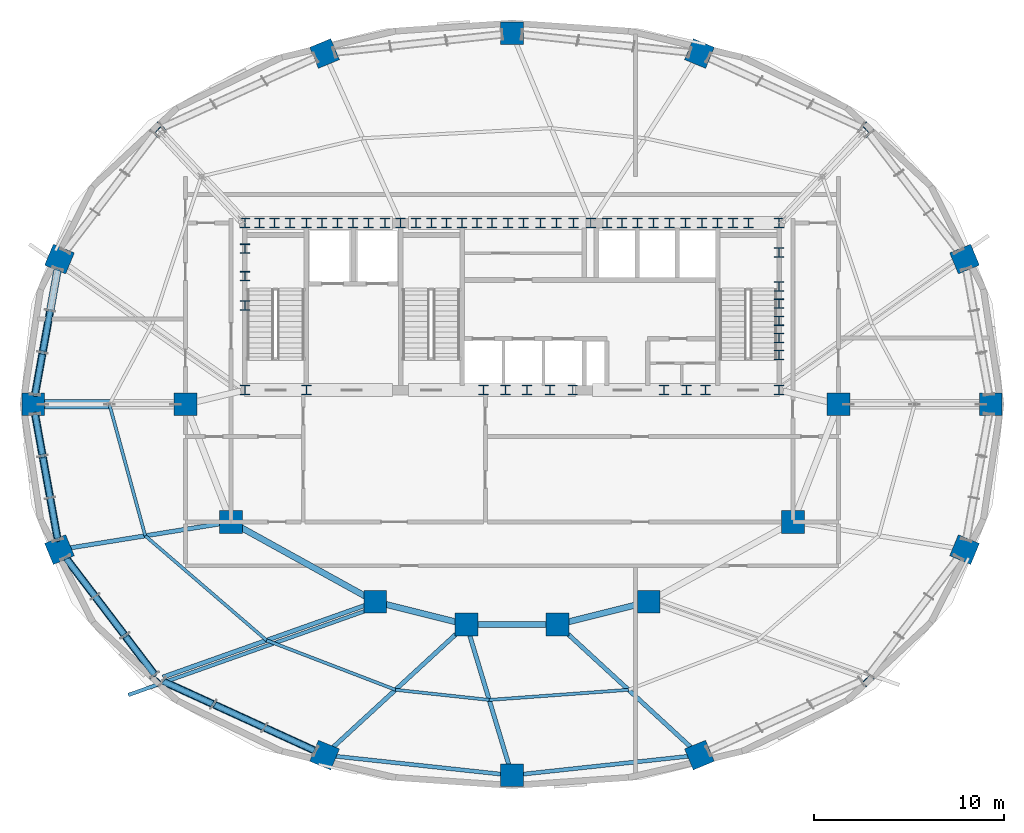
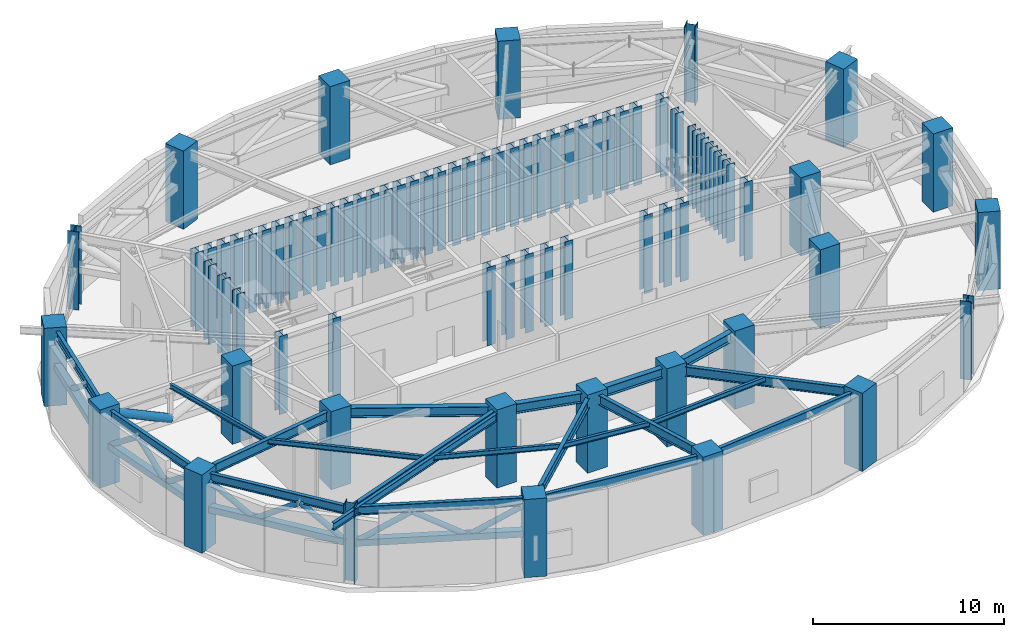
# One storey, part 1 of 17: 78 columns, 21 beams, 16 members.
"""IFC4 building model written with IfcOpenShell, lengths in metres."""

import ifcopenshell
import ifcopenshell.guid

model = None  # the IFC model being written
_history = None  # IfcOwnerHistory: only IFC2X3 demands one
_inside = {}  # id of a spatial element -> (the spatial element, [elements in it])
_under = {}  # id of a project, library or spatial element -> (it, [spatial elements below it])
_declared = {}  # id of a project -> (the project, [libraries it declares])
_typed = {}  # id of a type object -> (the type object, [elements of that type])
_made_of = {}  # id of a material, layer set ... -> (it, [elements and type objects made of it])


def new_model(schema):
    """Start an empty IFC model of exactly this schema.

    Asked for "IFC4X3", IfcOpenShell would pick the latest addendum, in which some entities
    have other attributes; the version numbers below select the first issue.
    IFC2X3 requires an IfcOwnerHistory on every rooted entity: one is made here for all.
    """
    global model, _history
    if schema == "IFC4X3":
        model = ifcopenshell.file(schema_version=(4, 3, 0, 0))
    else:
        model = ifcopenshell.file(schema=schema)
    _inside.clear()
    _under.clear()
    _declared.clear()
    _typed.clear()
    _made_of.clear()
    _history = None
    if model.schema == "IFC2X3":
        org = make("IfcOrganization", Name="unknown")
        user = make(
            "IfcPersonAndOrganization",
            ThePerson=make("IfcPerson", FamilyName="unknown"),
            TheOrganization=org,
        )
        app = make(
            "IfcApplication",
            ApplicationDeveloper=org,
            Version="unknown",
            ApplicationFullName="unknown",
            ApplicationIdentifier="unknown",
        )
        _history = make(
            "IfcOwnerHistory",
            OwningUser=user,
            OwningApplication=app,
            ChangeAction="ADDED",
            CreationDate=0,
        )
    return model


def make(cls, **values):
    """One entity of the class cls with the attributes given. An attribute that is None is left unset."""
    return model.create_entity(
        cls, **{name: value for name, value in values.items() if value is not None}
    )


def rooted(cls, **values):
    """An entity with a GlobalId (a new one), such as an element, a storey or a relation."""
    return make(cls, GlobalId=ifcopenshell.guid.new(), OwnerHistory=_history, **values)


def si_unit(unit_type, name, prefix=None):
    """IfcSIUnit, for example si_unit("LENGTHUNIT", "METRE", prefix="MILLI")."""
    return make("IfcSIUnit", UnitType=unit_type, Prefix=prefix, Name=name)


def assignment(units):
    """IfcUnitAssignment: the units of a project."""
    return None if units is None else make("IfcUnitAssignment", Units=units)


def point(xyz):
    """IfcCartesianPoint."""
    return None if xyz is None else make("IfcCartesianPoint", Coordinates=xyz)


def direction(xyz):
    """IfcDirection."""
    return None if xyz is None else make("IfcDirection", DirectionRatios=xyz)


def frame(location, z_axis=None, x_axis=None):
    """IfcAxis2Placement3D, a coordinate frame: its origin and axes. An axis left out is left unset."""
    return make(
        "IfcAxis2Placement3D",
        Location=point(location),
        Axis=direction(z_axis),
        RefDirection=direction(x_axis),
    )


def frame_2d(location, x_axis=None):
    """IfcAxis2Placement2D, a coordinate frame in the plane: its origin and x axis."""
    return make(
        "IfcAxis2Placement2D", Location=point(location), RefDirection=direction(x_axis)
    )


def origin():
    """The frame at (0, 0, 0) with its axes left unset."""
    return frame((0.0, 0.0, 0.0))


def origin_2d():
    """The frame at (0, 0) in the plane with its x axis left unset."""
    return frame_2d((0.0, 0.0))


def place(relative_to, where):
    """IfcLocalPlacement: puts the frame where relative to a parent placement (None: the world)."""
    return make(
        "IfcLocalPlacement", PlacementRelTo=relative_to, RelativePlacement=where
    )


def context(
    kind, dimensions, precision=None, world=None, true_north=None, identifier=None
):
    """IfcGeometricRepresentationContext, for example the 3D "Model" context."""
    return make(
        "IfcGeometricRepresentationContext",
        ContextIdentifier=identifier,
        ContextType=kind,
        CoordinateSpaceDimension=dimensions,
        Precision=precision,
        WorldCoordinateSystem=world,
        TrueNorth=true_north,
    )


def subcontext(parent, identifier, kind, view, scale=None):
    """IfcGeometricRepresentationSubContext, for example "Body" below "Model"."""
    return make(
        "IfcGeometricRepresentationSubContext",
        ContextIdentifier=identifier,
        ContextType=kind,
        ParentContext=parent,
        TargetScale=scale,
        TargetView=view,
    )


def project(units=None, contexts=None):
    """IfcProject with its units and contexts."""
    return rooted(
        "IfcProject",
        Name="project",
        RepresentationContexts=contexts,
        UnitsInContext=assignment(units),
    )


def spatial(cls, under=None, at=None, **own):
    """A site, building, storey or space (cls), placed at a placement, below another one or the project."""
    s = rooted(cls, ObjectPlacement=at, **own)
    if under is not None:
        _under.setdefault(under.id(), (under, []))[1].append(s)
    return s


def profile(cls, at=None, kind="AREA", **sizes):
    """A parametric profile (cls). Its sizes go by their IFC names, for example OverallWidth=200.0."""
    return make(cls, ProfileType=kind, Position=at, **sizes)


def rectangle(**sizes):
    """IfcRectangleProfileDef."""
    return profile("IfcRectangleProfileDef", **sizes)


def hollow_rectangle(**sizes):
    """IfcRectangleHollowProfileDef."""
    return profile("IfcRectangleHollowProfileDef", **sizes)


def hollow_circle(**sizes):
    """IfcCircleHollowProfileDef."""
    return profile("IfcCircleHollowProfileDef", **sizes)


def i_section(**sizes):
    """IfcIShapeProfileDef."""
    return profile("IfcIShapeProfileDef", **sizes)


def extrude(swept, where, along, depth):
    """IfcExtrudedAreaSolid: the profile swept, set in the frame where, extruded along a direction by depth."""
    return make(
        "IfcExtrudedAreaSolid",
        SweptArea=swept,
        Position=where,
        ExtrudedDirection=direction(along),
        Depth=depth,
    )


def shape(context_of_items, identifier, shape_type, items):
    """IfcShapeRepresentation: the items that make up one representation, for example the "Body"."""
    return make(
        "IfcShapeRepresentation",
        ContextOfItems=context_of_items,
        RepresentationIdentifier=identifier,
        RepresentationType=shape_type,
        Items=items,
    )


def material(Name=None, Category=None):
    """IfcMaterial."""
    return make("IfcMaterial", Name=Name, Category=Category)


def material_profile(
    of_material, cross_section, Name=None, Category=None, Priority=None
):
    """IfcMaterialProfile: a cross section and its material."""
    return make(
        "IfcMaterialProfile",
        Name=Name,
        Material=of_material,
        Profile=cross_section,
        Priority=Priority,
        Category=Category,
    )


def profile_set(profiles, Name=None, composite=None):
    """IfcMaterialProfileSet."""
    return make(
        "IfcMaterialProfileSet",
        Name=Name,
        MaterialProfiles=profiles,
        CompositeProfile=composite,
    )


def made_of(thing, what):
    """Note that an element or type object is made of a material, layer set ...; save() writes the relation."""
    if what is not None:
        _made_of.setdefault(what.id(), (what, []))[1].append(thing)
    return thing


def type_object(cls, material=None, **own):
    """A type object (cls), such as IfcWallType, which elements share."""
    return made_of(rooted(cls, **own), material)


def element(
    cls,
    number,
    at=None,
    inside=None,
    cuts=None,
    type_object=None,
    material=None,
    context=None,
    identifier="Body",
    shape_type=None,
    held_by="IfcProductDefinitionShape",
    body=None,
    shapes=None,
    **own,
):
    """One element of the class cls, such as IfcWall. Its Tag is "e" and its number.

    at: its placement. inside: the storey or other place that contains it. cuts: it is an
    opening in that element (IfcRelVoidsElement). A single representation is given by context,
    identifier, shape_type and body (its items); several are given by shapes. held_by: the class
    of the entity that holds the representations. save() writes the other relations.
    """
    e = rooted(cls, Tag="e%d" % number, ObjectPlacement=at, **own)
    if body is not None:
        shapes = [shape(context, identifier, shape_type, body)]
    if shapes is not None:
        e.Representation = make(held_by, Representations=shapes)
    if inside is not None:
        _inside.setdefault(inside.id(), (inside, []))[1].append(e)
    if cuts is not None:
        rooted(
            "IfcRelVoidsElement", RelatingBuildingElement=cuts, RelatedOpeningElement=e
        )
    if type_object is not None:
        _typed.setdefault(type_object.id(), (type_object, []))[1].append(e)
    return made_of(e, material)


def aggregate(whole, parts):
    """IfcRelAggregates: a whole, such as a stair, and the parts it consists of."""
    return rooted("IfcRelAggregates", RelatingObject=whole, RelatedObjects=parts)


def save(model, path):
    """Write the relations noted so far, then the file.

    IfcRelAggregates (storeys below a building ...), IfcRelContainedInSpatialStructure (elements
    in a storey), IfcRelDefinesByType, IfcRelAssociatesMaterial and IfcRelDeclares: one each for
    every whole, place, type object, material and project.
    """
    for whole, parts in _under.values():
        aggregate(whole, parts)
    for where, things in _inside.values():
        rooted(
            "IfcRelContainedInSpatialStructure",
            RelatedElements=things,
            RelatingStructure=where,
        )
    for kind, things in _typed.values():
        rooted("IfcRelDefinesByType", RelatedObjects=things, RelatingType=kind)
    for what, things in _made_of.values():
        rooted("IfcRelAssociatesMaterial", RelatedObjects=things, RelatingMaterial=what)
    for by, libraries in _declared.values():
        rooted("IfcRelDeclares", RelatingContext=by, RelatedDefinitions=libraries)
    model.write(path)


model = new_model("IFC4")

# Units and contexts
model_context = context("Model", 3, precision=1e-05, world=origin(), true_north=direction((0.0, 1.0)))
body_context = subcontext(model_context, "Body", "Model", "MODEL_VIEW")
ifc_project = project(units=[si_unit("LENGTHUNIT", "METRE"), si_unit("AREAUNIT", "SQUARE_METRE"), si_unit("VOLUMEUNIT", "CUBIC_METRE"), si_unit("PLANEANGLEUNIT", "RADIAN"), si_unit("MASSUNIT", "GRAM", prefix="KILO")], contexts=[model_context])

# Site, building, storey
site_placement = place(None, origin())
site = spatial("IfcSite", under=ifc_project, at=site_placement, CompositionType="ELEMENT")
building_placement = place(site_placement, origin())
building = spatial("IfcBuilding", under=site, at=building_placement, Name="Haldorwick Loom Tower", CompositionType="ELEMENT")
storey_placement = place(building_placement, frame((0.0, 0.0, 149.449951171875)))
storey = spatial("IfcBuildingStorey", under=building, at=storey_placement, Name="L40", CompositionType="ELEMENT", Elevation=149.449951171875)

# Columns
ifc_material_1 = material(Name="Concrete C60 (60 MPa)", Category="concrete")
ifc_material_profile_1 = material_profile(ifc_material_1, rectangle(XDim=1.199951171875, YDim=1.199951171875, at=origin_2d()), Name="RC1200X1200", Category="concrete")
ifc_profile_set_1 = profile_set([ifc_material_profile_1], Name="Concrete C60 (60 MPa)")
column_type_1 = type_object("IfcColumnType", Name="STR-COL-RC1200", PredefinedType="COLUMN", material=ifc_profile_set_1)
for number, where, z_axis, x_axis, name in (
    (1, (53.199951171875, 26.0, 0.0), (0.0, 0.0, 1.0), (1.0, 0.0, 0.0), "L40 Inner Column IC-01"),
    (2, (50.800048828125, 19.800048828125, 0.0), (0.0, 0.0, 1.0), (1.0, 0.0, 0.0), "L40 Inner Column IC-02"),
    (3, (43.199951171875, 15.60009765625, 0.0), (0.0, 0.0, 1.0), (1.0, 0.0, 0.0), "L40 Inner Column IC-03"),
    (4, (38.39990234375, 14.39990234375, 0.0), (0.0, 0.0, 1.0), (1.0, 0.0, 0.0), "L40 Inner Column IC-04"),
    (5, (33.60009765625, 14.39990234375, 0.0), (0.0, 0.0, 1.0), (1.0, 0.0, 0.0), "L40 Inner Column IC-05"),
    (6, (28.800048828125, 15.60009765625, 0.0), (0.0, 0.0, 1.0), (1.0, 0.0, 0.0), "L40 Inner Column IC-06"),
    (7, (21.199951171875, 19.800048828125, 0.0), (0.0, 0.0, 1.0), (1.0, 0.0, 0.0), "L40 Inner Column IC-07"),
    (8, (18.800048828125, 26.0, 0.0), (0.0, 0.0, 1.0), (1.0, 0.0, 0.0), "L40 Inner Column IC-08"),
    (9, (61.217041015625, 26.0, 0.0), (0.0, 0.0, 1.0), (1.0, 0.0, 0.0), "L40 Perimeter Pier Column P01"),
    (10, (59.836181640625, 33.65380859375, 0.0), (0.0, 0.0, 1.0), (0.923879532511, 0.382683432365, 0.0), "L40 Perimeter Pier Column P02"),
    (11, (45.873291015625, 44.4775390625, 0.0), (0.0, 0.0, 1.0), (0.382683432365, 0.923879532511, 0.0), "L40 Perimeter Pier Column P04"),
    (12, (36.0, 45.544677734375, 0.0), (0.0, 0.0, 1.0), (0.0, 1.0, 0.0), "L40 Perimeter Pier Column P05"),
    (13, (26.126708984375, 44.4775390625, 0.0), (0.0, 0.0, 1.0), (-0.382683432365, 0.923879532511, 0.0), "L40 Perimeter Pier Column P06"),
    (14, (12.163818359375, 33.65380859375, 0.0), (0.0, 0.0, 1.0), (-0.923879532511, 0.382683432365, 0.0), "L40 Perimeter Pier Column P08"),
    (15, (10.782958984375, 26.0, 0.0), (0.0, 0.0, 1.0), (-1.0, 0.0, 0.0), "L40 Perimeter Pier Column P09"),
    (16, (12.163818359375, 18.34619140625, 0.0), (0.0, 0.0, 1.0), (-0.923879532511, -0.382683432365, 0.0), "L40 Perimeter Pier Column P10"),
    (17, (26.126708984375, 7.5224609375, 0.0), (0.0, 0.0, 1.0), (-0.382683432365, -0.923879532511, 0.0), "L40 Perimeter Pier Column P12"),
    (18, (36.0, 6.455322265625, 0.0), (0.0, 0.0, 1.0), (0.0, -1.0, 0.0), "L40 Perimeter Pier Column P13"),
    (19, (45.873291015625, 7.5224609375, 0.0), (0.0, 0.0, 1.0), (0.382683432365, -0.923879532511, 0.0), "L40 Perimeter Pier Column P14"),
    (20, (59.836181640625, 18.34619140625, 0.0), (0.0, 0.0, 1.0), (0.923879532511, -0.382683432365, 0.0), "L40 Perimeter Pier Column P16"),
):
    element("IfcColumn", number, at=place(storey_placement, frame(where, z_axis=z_axis, x_axis=x_axis)), inside=storey, type_object=column_type_1, Name=name, PredefinedType="COLUMN", context=body_context, shape_type="SweptSolid", body=[
        extrude(rectangle(XDim=1.199951171875, YDim=1.199951171875, at=origin_2d()), origin(), (0.0, 0.0, 1.0), 5.0),
    ])
ifc_material_2 = material(Name="Steel CSA G40.21 350WT", Category="steel")
ifc_material_profile_2 = material_profile(ifc_material_2, i_section(OverallWidth=0.5, OverallDepth=0.5, WebThickness=0.02197265625, FlangeThickness=0.031982421875, at=origin_2d()), Name="WWF500X500", Category="steel")
ifc_profile_set_2 = profile_set([ifc_material_profile_2], Name="Steel CSA G40.21 350WT")
column_type_2 = type_object("IfcColumnType", Name="STR-COL-WWF500", PredefinedType="COLUMN", material=ifc_profile_set_2)
for number, where, z_axis, x_axis, name in (
    (21, (21.929931640625, 35.550048828125, 0.0), (0.0, 0.0, 1.0), (1.0, 0.0, 0.0), "L40 Core Pilaster CB-01"),
    (22, (23.5, 35.550048828125, 0.0), (0.0, 0.0, 1.0), (1.0, 0.0, 0.0), "L40 Core Pilaster CB-02"),
    (23, (25.169921875, 35.550048828125, 0.0), (0.0, 0.0, 1.0), (1.0, 0.0, 0.0), "L40 Core Pilaster CB-03"),
    (24, (26.800048828125, 35.550048828125, 0.0), (0.0, 0.0, 1.0), (1.0, 0.0, 0.0), "L40 Core Pilaster CB-04"),
    (25, (28.449951171875, 35.550048828125, 0.0), (0.0, 0.0, 1.0), (1.0, 0.0, 0.0), "L40 Core Pilaster CB-05"),
    (26, (30.1298828125, 35.550048828125, 0.0), (0.0, 0.0, 1.0), (1.0, 0.0, 0.0), "L40 Core Pilaster CB-06"),
    (27, (31.75, 35.550048828125, 0.0), (0.0, 0.0, 1.0), (1.0, 0.0, 0.0), "L40 Core Pilaster CB-07"),
    (28, (33.3701171875, 35.550048828125, 0.0), (0.0, 0.0, 1.0), (1.0, 0.0, 0.0), "L40 Core Pilaster CB-08"),
    (29, (34.949951171875, 35.550048828125, 0.0), (0.0, 0.0, 1.0), (1.0, 0.0, 0.0), "L40 Core Pilaster CB-09"),
    (30, (36.60009765625, 35.550048828125, 0.0), (0.0, 0.0, 1.0), (1.0, 0.0, 0.0), "L40 Core Pilaster CB-10"),
    (31, (38.35009765625, 35.550048828125, 0.0), (0.0, 0.0, 1.0), (1.0, 0.0, 0.0), "L40 Core Pilaster CB-11"),
    (32, (40.14990234375, 35.550048828125, 0.0), (0.0, 0.0, 1.0), (1.0, 0.0, 0.0), "L40 Core Pilaster CB-12"),
    (33, (41.800048828125, 35.550048828125, 0.0), (0.0, 0.0, 1.0), (1.0, 0.0, 0.0), "L40 Core Pilaster CB-13"),
    (34, (43.449951171875, 35.550048828125, 0.0), (0.0, 0.0, 1.0), (1.0, 0.0, 0.0), "L40 Core Pilaster CB-14"),
    (35, (45.14990234375, 35.550048828125, 0.0), (0.0, 0.0, 1.0), (1.0, 0.0, 0.0), "L40 Core Pilaster CB-15"),
    (36, (46.830078125, 35.550048828125, 0.0), (0.0, 0.0, 1.0), (1.0, 0.0, 0.0), "L40 Core Pilaster CB-16"),
    (37, (48.449951171875, 35.550048828125, 0.0), (0.0, 0.0, 1.0), (1.0, 0.0, 0.0), "L40 Core Pilaster CB-17"),
    (38, (50.070068359375, 35.550048828125, 0.0), (0.0, 0.0, 1.0), (1.0, 0.0, 0.0), "L40 Core Pilaster CB-18"),
    (39, (21.929931640625, 26.75, 0.0), (0.0, 0.0, 1.0), (1.0, 0.0, 0.0), "L40 Core Pilaster CB-19"),
    (40, (25.169921875, 26.75, 0.0), (0.0, 0.0, 1.0), (1.0, 0.0, 0.0), "L40 Core Pilaster CB-20"),
    (41, (34.5, 26.75, 0.0), (0.0, 0.0, 1.0), (1.0, 0.0, 0.0), "L40 Core Pilaster CB-21"),
    (42, (36.800048828125, 26.75, 0.0), (0.0, 0.0, 1.0), (1.0, 0.0, 0.0), "L40 Core Pilaster CB-22"),
    (43, (39.199951171875, 26.75, 0.0), (0.0, 0.0, 1.0), (1.0, 0.0, 0.0), "L40 Core Pilaster CB-23"),
    (44, (45.199951171875, 26.75, 0.0), (0.0, 0.0, 1.0), (1.0, 0.0, 0.0), "L40 Core Pilaster CB-24"),
    (45, (50.070068359375, 26.75, 0.0), (0.0, 0.0, 1.0), (1.0, 0.0, 0.0), "L40 Core Pilaster CB-25"),
    (46, (21.929931640625, 31.199951171875, 0.0), (0.0, 0.0, 1.0), (1.0, 0.0, 0.0), "L40 Core Pilaster CB-26"),
    (47, (21.929931640625, 32.75, 0.0), (0.0, 0.0, 1.0), (1.0, 0.0, 0.0), "L40 Core Pilaster CB-27"),
    (48, (21.929931640625, 34.199951171875, 0.0), (0.0, 0.0, 1.0), (1.0, 0.0, 0.0), "L40 Core Pilaster CB-28"),
    (49, (50.070068359375, 28.60009765625, 0.0), (0.0, 0.0, 1.0), (1.0, 0.0, 0.0), "L40 Core Pilaster CB-29"),
    (50, (50.070068359375, 30.39990234375, 0.0), (0.0, 0.0, 1.0), (1.0, 0.0, 0.0), "L40 Core Pilaster CB-30"),
    (51, (50.070068359375, 32.199951171875, 0.0), (0.0, 0.0, 1.0), (1.0, 0.0, 0.0), "L40 Core Pilaster CB-31"),
    (52, (50.070068359375, 34.0, 0.0), (0.0, 0.0, 1.0), (1.0, 0.0, 0.0), "L40 Core Pilaster CB-32"),
    (53, (22.699951171875, 35.550048828125, 0.0), (0.0, 0.0, 1.0), (1.0, 0.0, 0.0), "L40 Core Pilaster CB-33"),
    (54, (27.6201171875, 35.550048828125, 0.0), (0.0, 0.0, 1.0), (1.0, 0.0, 0.0), "L40 Core Pilaster CB-34"),
    (55, (32.550048828125, 35.550048828125, 0.0), (0.0, 0.0, 1.0), (1.0, 0.0, 0.0), "L40 Core Pilaster CB-35"),
    (56, (37.5, 35.550048828125, 0.0), (0.0, 0.0, 1.0), (1.0, 0.0, 0.0), "L40 Core Pilaster CB-36"),
    (57, (42.6201171875, 35.550048828125, 0.0), (0.0, 0.0, 1.0), (1.0, 0.0, 0.0), "L40 Core Pilaster CB-37"),
    (58, (47.64990234375, 35.550048828125, 0.0), (0.0, 0.0, 1.0), (1.0, 0.0, 0.0), "L40 Core Pilaster CB-38"),
    (59, (24.300048828125, 35.550048828125, 0.0), (0.0, 0.0, 1.0), (1.0, 0.0, 0.0), "L40 Core Pilaster CB-39"),
    (60, (26.0, 35.550048828125, 0.0), (0.0, 0.0, 1.0), (1.0, 0.0, 0.0), "L40 Core Pilaster CB-40"),
    (61, (29.300048828125, 35.550048828125, 0.0), (0.0, 0.0, 1.0), (1.0, 0.0, 0.0), "L40 Core Pilaster CB-41"),
    (62, (30.949951171875, 35.550048828125, 0.0), (0.0, 0.0, 1.0), (1.0, 0.0, 0.0), "L40 Core Pilaster CB-42"),
    (63, (34.14990234375, 35.550048828125, 0.0), (0.0, 0.0, 1.0), (1.0, 0.0, 0.0), "L40 Core Pilaster CB-43"),
    (64, (35.800048828125, 35.550048828125, 0.0), (0.0, 0.0, 1.0), (1.0, 0.0, 0.0), "L40 Core Pilaster CB-44"),
    (65, (39.25, 35.550048828125, 0.0), (0.0, 0.0, 1.0), (1.0, 0.0, 0.0), "L40 Core Pilaster CB-45"),
    (66, (41.0, 35.550048828125, 0.0), (0.0, 0.0, 1.0), (1.0, 0.0, 0.0), "L40 Core Pilaster CB-46"),
    (67, (44.300048828125, 35.550048828125, 0.0), (0.0, 0.0, 1.0), (1.0, 0.0, 0.0), "L40 Core Pilaster CB-47"),
    (68, (46.0, 35.550048828125, 0.0), (0.0, 0.0, 1.0), (1.0, 0.0, 0.0), "L40 Core Pilaster CB-48"),
    (69, (50.070068359375, 29.5, 0.0), (0.0, 0.0, 1.0), (1.0, 0.0, 0.0), "L40 Core Pilaster CB-49"),
    (70, (50.070068359375, 31.300048828125, 0.0), (0.0, 0.0, 1.0), (1.0, 0.0, 0.0), "L40 Core Pilaster CB-50"),
    (71, (35.64990234375, 26.75, 0.0), (0.0, 0.0, 1.0), (1.0, 0.0, 0.0), "L40 Core Pilaster CB-51"),
    (72, (38.0, 26.75, 0.0), (0.0, 0.0, 1.0), (1.0, 0.0, 0.0), "L40 Core Pilaster CB-52"),
    (73, (44.0, 26.75, 0.0), (0.0, 0.0, 1.0), (1.0, 0.0, 0.0), "L40 Core Pilaster CB-53"),
    (74, (46.199951171875, 26.75, 0.0), (0.0, 0.0, 1.0), (1.0, 0.0, 0.0), "L40 Core Pilaster CB-54"),
):
    element("IfcColumn", number, at=place(storey_placement, frame(where, z_axis=z_axis, x_axis=x_axis)), inside=storey, type_object=column_type_2, Name=name, PredefinedType="COLUMN", context=body_context, shape_type="SweptSolid", body=[
        extrude(i_section(OverallWidth=0.5, OverallDepth=0.5, WebThickness=0.02197265625, FlangeThickness=0.031982421875, at=origin_2d()), origin(), (0.0, 0.0, 1.0), 5.0),
    ])
ifc_material_profile_3 = material_profile(ifc_material_2, i_section(OverallWidth=0.60009765625, OverallDepth=0.60009765625, WebThickness=0.02490234375, FlangeThickness=0.035888671875, at=origin_2d()), Name="WWF600X600", Category="steel")
ifc_profile_set_3 = profile_set([ifc_material_profile_3], Name="Steel CSA G40.21 350WT")
column_type_3 = type_object("IfcColumnType", Name="STR-COL-WWF600", PredefinedType="COLUMN", material=ifc_profile_set_3)
for number, where, z_axis, x_axis, name in (
    (75, (54.655517578125, 40.464111328125, 0.0), (0.0, 0.0, 1.0), (0.707106781187, 0.707106781187, 0.0), "L40 Perimeter Pier Column P03"),
    (76, (17.344482421875, 40.464111328125, 0.0), (0.0, 0.0, 1.0), (-0.707106781187, 0.707106781187, 0.0), "L40 Perimeter Pier Column P07"),
    (77, (17.344482421875, 11.535888671875, 0.0), (0.0, 0.0, 1.0), (-0.707106781187, -0.707106781187, 0.0), "L40 Perimeter Pier Column P11"),
    (78, (54.655517578125, 11.535888671875, 0.0), (0.0, 0.0, 1.0), (0.707106781187, -0.707106781187, 0.0), "L40 Perimeter Pier Column P15"),
):
    element("IfcColumn", number, at=place(storey_placement, frame(where, z_axis=z_axis, x_axis=x_axis)), inside=storey, type_object=column_type_3, Name=name, PredefinedType="COLUMN", context=body_context, shape_type="SweptSolid", body=[
        extrude(i_section(OverallWidth=0.60009765625, OverallDepth=0.60009765625, WebThickness=0.02490234375, FlangeThickness=0.035888671875, at=origin_2d()), origin(), (0.0, 0.0, 1.0), 5.0),
    ])

# Beams
ifc_material_3 = material(Name="Steel CSA G40.21 350W", Category="steel")
ifc_material_profile_4 = material_profile(ifc_material_3, i_section(OverallWidth=0.193115234375, OverallDepth=0.466064453125, WebThickness=0.011474609375, FlangeThickness=0.01904296875, at=origin_2d()), Name="W460X97", Category="steel")
ifc_profile_set_4 = profile_set([ifc_material_profile_4], Name="Steel CSA G40.21 350W")
beam_type_1 = type_object("IfcBeamType", Name="STR-BM-BAL460", PredefinedType="BEAM", material=ifc_profile_set_4)
beam_1_placement = place(storey_placement, frame((28.403564453125, 15.162109375, 4.527099609375), z_axis=(-0.942447955832, -0.334352883266, 0.0), x_axis=(0.334352883266, -0.942447955832, 0.0)))
element("IfcBeam", 79, at=beam_1_placement, inside=storey, type_object=beam_type_1, Name="L40 Continuous Back-Spanned Balcony Beam 2", PredefinedType="BEAM", context=body_context, shape_type="SweptSolid", body=[
    extrude(i_section(OverallWidth=0.193115234375, OverallDepth=0.466064453125, WebThickness=0.011474609375, FlangeThickness=0.01904296875, at=origin_2d()), origin(), (0.0, 0.0, 1.0), 13.385009765625),
])
ifc_material_profile_5 = material_profile(ifc_material_3, i_section(OverallWidth=0.166015625, OverallDepth=0.31298828125, WebThickness=0.006591796875, FlangeThickness=0.01123046875, at=origin_2d()), Name="W310X45", Category="steel")
ifc_profile_set_5 = profile_set([ifc_material_profile_5], Name="Steel CSA G40.21 350W")
beam_type_2 = type_object("IfcBeamType", Name="STR-BM-J310", PredefinedType="JOIST", material=ifc_profile_set_5)
beam_2_placement = place(storey_placement, frame((14.79150390625, 26.0, 4.603515625), z_axis=(0.263272762578, -0.964721437766, 0.0), x_axis=(0.964721437766, 0.263272762578, 0.0)))
element("IfcBeam", 80, at=beam_2_placement, inside=storey, type_object=beam_type_2, Name="L40 Mid-Bay Secondary Joist 9", PredefinedType="JOIST", context=body_context, shape_type="SweptSolid", body=[
    extrude(i_section(OverallWidth=0.166015625, OverallDepth=0.31298828125, WebThickness=0.006591796875, FlangeThickness=0.01123046875, at=origin_2d()), origin(), (0.0, 0.0, 1.0), 7.180419921875),
])
beam_3_placement = place(storey_placement, frame((16.681884765625, 19.072998046875, 4.603515625), z_axis=(0.75763401328, -0.652679631918, 0.0), x_axis=(0.652679631918, 0.75763401328, 0.0)))
element("IfcBeam", 81, at=beam_3_placement, inside=storey, type_object=beam_type_2, Name="L40 Mid-Bay Secondary Joist 10", PredefinedType="JOIST", context=body_context, shape_type="SweptSolid", body=[
    extrude(i_section(OverallWidth=0.166015625, OverallDepth=0.31298828125, WebThickness=0.006591796875, FlangeThickness=0.01123046875, at=origin_2d()), origin(), (0.0, 0.0, 1.0), 8.4345703125),
])
beam_4_placement = place(storey_placement, frame((23.072265625, 13.56787109375, 4.603515625), z_axis=(0.933586737031, -0.358351509609, 0.0), x_axis=(0.358351509609, 0.933586737031, 0.0)))
element("IfcBeam", 82, at=beam_4_placement, inside=storey, type_object=beam_type_2, Name="L40 Mid-Bay Secondary Joist 11", PredefinedType="JOIST", context=body_context, shape_type="SweptSolid", body=[
    extrude(i_section(OverallWidth=0.166015625, OverallDepth=0.31298828125, WebThickness=0.006591796875, FlangeThickness=0.01123046875, at=origin_2d()), origin(), (0.0, 0.0, 1.0), 7.274169921875),
])
beam_5_placement = place(storey_placement, frame((29.86328125, 10.961181640625, 4.603515625), z_axis=(0.994212584227, -0.107430616514, 0.0), x_axis=(0.107430616514, 0.994212584227, 0.0)))
element("IfcBeam", 83, at=beam_5_placement, inside=storey, type_object=beam_type_2, Name="L40 Mid-Bay Secondary Joist 12", PredefinedType="JOIST", context=body_context, shape_type="SweptSolid", body=[
    extrude(i_section(OverallWidth=0.166015625, OverallDepth=0.31298828125, WebThickness=0.006591796875, FlangeThickness=0.01123046875, at=origin_2d()), origin(), (0.0, 0.0, 1.0), 4.965576171875),
])
beam_6_placement = place(storey_placement, frame((34.800048828125, 10.427734375, 4.603515625), z_axis=(0.997367082818, 0.072518288109, 0.0), x_axis=(-0.072518288109, 0.997367082818, 0.0)))
element("IfcBeam", 84, at=beam_6_placement, inside=storey, type_object=beam_type_2, Name="L40 Mid-Bay Secondary Joist 13", PredefinedType="JOIST", context=body_context, shape_type="SweptSolid", body=[
    extrude(i_section(OverallWidth=0.166015625, OverallDepth=0.31298828125, WebThickness=0.006591796875, FlangeThickness=0.01123046875, at=origin_2d()), origin(), (0.0, 0.0, 1.0), 7.35595703125),
])
ifc_material_profile_6 = material_profile(ifc_material_3, i_section(OverallWidth=0.2119140625, OverallDepth=0.5439453125, WebThickness=0.01318359375, FlangeThickness=0.021240234375, at=origin_2d()), Name="W530X123", Category="steel")
ifc_profile_set_6 = profile_set([ifc_material_profile_6], Name="Steel CSA G40.21 350W")
beam_type_3 = type_object("IfcBeamType", Name="STR-BM-SP530", PredefinedType="SPANDREL", material=ifc_profile_set_6)
for number, where, z_axis, x_axis, name in (
    (85, (12.071533203125, 33.14208984375, 4.488037109375), (-0.177558730702, -0.984110205796, 0.0), (0.984110205796, -0.177558730702, 0.0), "L40 Perimeter Spandrel 8"),
    (86, (10.875244140625, 25.48828125, 4.488037109375), (0.177558730702, -0.984110205796, 0.0), (0.984110205796, 0.177558730702, 0.0), "L40 Perimeter Spandrel 9"),
):
    element("IfcBeam", number, at=place(storey_placement, frame(where, z_axis=z_axis, x_axis=x_axis)), inside=storey, type_object=beam_type_3, Name=name, PredefinedType="SPANDREL", context=body_context, shape_type="SweptSolid", body=[
        extrude(i_section(OverallWidth=0.2119140625, OverallDepth=0.5439453125, WebThickness=0.01318359375, FlangeThickness=0.021240234375, at=origin_2d()), origin(), (0.0, 0.0, 1.0), 6.737548828125),
    ])
beam_7_placement = place(storey_placement, frame((12.478759765625, 17.932373046875, 4.488037109375), z_axis=(0.605421356486, -0.795905133236, 0.0), x_axis=(0.795905133236, 0.605421356486, 0.0)))
element("IfcBeam", 87, at=beam_7_placement, inside=storey, type_object=beam_type_3, Name="L40 Perimeter Spandrel 10", PredefinedType="SPANDREL", context=body_context, shape_type="SweptSolid", body=[
    extrude(i_section(OverallWidth=0.2119140625, OverallDepth=0.5439453125, WebThickness=0.01318359375, FlangeThickness=0.021240234375, at=origin_2d()), origin(), (0.0, 0.0, 1.0), 7.761962890625),
])
beam_8_placement = place(storey_placement, frame((17.594482421875, 11.42138671875, 4.488037109375), z_axis=(0.909534296496, -0.415628877121, 0.0), x_axis=(0.415628877121, 0.909534296496, 0.0)))
element("IfcBeam", 88, at=beam_8_placement, inside=storey, type_object=beam_type_3, Name="L40 Perimeter Spandrel 11", PredefinedType="SPANDREL", context=body_context, shape_type="SweptSolid", body=[
    extrude(i_section(OverallWidth=0.2119140625, OverallDepth=0.5439453125, WebThickness=0.01318359375, FlangeThickness=0.021240234375, at=origin_2d()), origin(), (0.0, 0.0, 1.0), 8.86083984375),
])
for number, where, z_axis, x_axis, name in (
    (89, (26.643798828125, 7.466552734375, 4.488037109375), (0.994210140187, -0.107453232386, 0.0), (0.107453232386, 0.994210140187, 0.0), "L40 Perimeter Spandrel 12"),
    (90, (36.51708984375, 6.51123046875, 4.488037109375), (0.994210140187, 0.107453232386, 0.0), (-0.107453232386, 0.994210140187, 0.0), "L40 Perimeter Spandrel 13"),
):
    element("IfcBeam", number, at=place(storey_placement, frame(where, z_axis=z_axis, x_axis=x_axis)), inside=storey, type_object=beam_type_3, Name=name, PredefinedType="SPANDREL", context=body_context, shape_type="SweptSolid", body=[
        extrude(i_section(OverallWidth=0.2119140625, OverallDepth=0.5439453125, WebThickness=0.01318359375, FlangeThickness=0.021240234375, at=origin_2d()), origin(), (0.0, 0.0, 1.0), 8.890625),
    ])
ifc_material_profile_7 = material_profile(ifc_material_3, i_section(OverallWidth=0.324951171875, OverallDepth=0.615966796875, WebThickness=0.013916015625, FlangeThickness=0.021484375, at=origin_2d()), Name="W610X174", Category="steel")
ifc_profile_set_7 = profile_set([ifc_material_profile_7], Name="Steel CSA G40.21 350W")
beam_type_4 = type_object("IfcBeamType", Name="STR-BM-W610A", PredefinedType="BEAM", material=ifc_profile_set_7)
beam_9_placement = place(storey_placement, frame((42.695556640625, 15.473876953125, 4.4521484375), z_axis=(-0.970142500145, -0.242535625036, 0.0), x_axis=(0.242535625036, -0.970142500145, 0.0)))
element("IfcBeam", 91, at=beam_9_placement, inside=storey, type_object=beam_type_4, Name="L40 Inner Ring Girder 4", PredefinedType="BEAM", context=body_context, shape_type="SweptSolid", body=[
    extrude(i_section(OverallWidth=0.324951171875, OverallDepth=0.615966796875, WebThickness=0.013916015625, FlangeThickness=0.021484375, at=origin_2d()), origin(), (0.0, 0.0, 1.0), 3.90771484375),
])
beam_10_placement = place(storey_placement, frame((37.8798828125, 14.39990234375, 4.4521484375), z_axis=(-1.0, 0.0, 0.0), x_axis=(0.0, -1.0, 0.0)))
element("IfcBeam", 92, at=beam_10_placement, inside=storey, type_object=beam_type_4, Name="L40 Inner Ring Girder 5", PredefinedType="BEAM", context=body_context, shape_type="SweptSolid", body=[
    extrude(i_section(OverallWidth=0.324951171875, OverallDepth=0.615966796875, WebThickness=0.013916015625, FlangeThickness=0.021484375, at=origin_2d()), origin(), (0.0, 0.0, 1.0), 3.759765625),
])
beam_11_placement = place(storey_placement, frame((33.095458984375, 14.526123046875, 4.4521484375), z_axis=(-0.970142500145, 0.242535625036, 0.0), x_axis=(-0.242535625036, -0.970142500145, 0.0)))
element("IfcBeam", 93, at=beam_11_placement, inside=storey, type_object=beam_type_4, Name="L40 Inner Ring Girder 6", PredefinedType="BEAM", context=body_context, shape_type="SweptSolid", body=[
    extrude(i_section(OverallWidth=0.324951171875, OverallDepth=0.615966796875, WebThickness=0.013916015625, FlangeThickness=0.021484375, at=origin_2d()), origin(), (0.0, 0.0, 1.0), 3.90771484375),
])
beam_12_placement = place(storey_placement, frame((28.344970703125, 15.8515625, 4.4521484375), z_axis=(-0.875244382146, 0.483680960471, 0.0), x_axis=(-0.483680960471, -0.875244382146, 0.0)))
element("IfcBeam", 94, at=beam_12_placement, inside=storey, type_object=beam_type_4, Name="L40 Inner Ring Girder 7", PredefinedType="BEAM", context=body_context, shape_type="SweptSolid", body=[
    extrude(i_section(OverallWidth=0.324951171875, OverallDepth=0.615966796875, WebThickness=0.013916015625, FlangeThickness=0.021484375, at=origin_2d()), origin(), (0.0, 0.0, 1.0), 7.6435546875),
])
ifc_material_profile_8 = material_profile(ifc_material_3, i_section(OverallWidth=0.22998046875, OverallDepth=0.616943359375, WebThickness=0.01318359375, FlangeThickness=0.022216796875, at=origin_2d()), Name="W610X140", Category="steel")
ifc_profile_set_8 = profile_set([ifc_material_profile_8], Name="Steel CSA G40.21 350W")
beam_type_5 = type_object("IfcBeamType", Name="STR-BM-W610B", PredefinedType="BEAM", material=ifc_profile_set_8)
beam_13_placement = place(storey_placement, frame((20.6865234375, 19.71728515625, 4.45166015625), z_axis=(-0.987308639475, -0.158813256432, 0.0), x_axis=(0.158813256432, -0.987308639475, 0.0)))
element("IfcBeam", 95, at=beam_13_placement, inside=storey, type_object=beam_type_5, Name="L40 Radial Floor Girder 10", PredefinedType="BEAM", context=body_context, shape_type="SweptSolid", body=[
    extrude(i_section(OverallWidth=0.22998046875, OverallDepth=0.616943359375, WebThickness=0.01318359375, FlangeThickness=0.022216796875, at=origin_2d()), origin(), (0.0, 0.0, 1.0), 8.1123046875),
])
beam_14_placement = place(storey_placement, frame((28.309814453125, 15.426025390625, 4.45166015625), z_axis=(-0.9424463153, -0.334357507433, 0.0), x_axis=(0.334357507433, -0.9424463153, 0.0)))
element("IfcBeam", 96, at=beam_14_placement, inside=storey, type_object=beam_type_5, Name="L40 Radial Floor Girder 11", PredefinedType="BEAM", context=body_context, shape_type="SweptSolid", body=[
    extrude(i_section(OverallWidth=0.22998046875, OverallDepth=0.616943359375, WebThickness=0.01318359375, FlangeThickness=0.022216796875, at=origin_2d()), origin(), (0.0, 0.0, 1.0), 11.360107421875),
])
beam_15_placement = place(storey_placement, frame((33.21728515625, 14.0478515625, 4.45166015625), z_axis=(-0.735810902934, -0.677187060658, 0.0), x_axis=(0.677187060658, -0.735810902934, 0.0)))
element("IfcBeam", 97, at=beam_15_placement, inside=storey, type_object=beam_type_5, Name="L40 Radial Floor Girder 12", PredefinedType="BEAM", context=body_context, shape_type="SweptSolid", body=[
    extrude(i_section(OverallWidth=0.22998046875, OverallDepth=0.616943359375, WebThickness=0.01318359375, FlangeThickness=0.022216796875, at=origin_2d()), origin(), (0.0, 0.0, 1.0), 9.1162109375),
])
beam_16_placement = place(storey_placement, frame((33.75048828125, 13.902099609375, 4.45166015625), z_axis=(0.28917091681, -0.957277483738, 0.0), x_axis=(0.957277483738, 0.28917091681, 0.0)))
element("IfcBeam", 98, at=beam_16_placement, inside=storey, type_object=beam_type_5, Name="L40 Radial Floor Girder 13", PredefinedType="BEAM", context=body_context, shape_type="SweptSolid", body=[
    extrude(i_section(OverallWidth=0.22998046875, OverallDepth=0.616943359375, WebThickness=0.01318359375, FlangeThickness=0.022216796875, at=origin_2d()), origin(), (0.0, 0.0, 1.0), 7.259033203125),
])
beam_17_placement = place(storey_placement, frame((38.78271484375, 14.0478515625, 4.45166015625), z_axis=(0.735810902934, -0.677187060658, 0.0), x_axis=(0.677187060658, 0.735810902934, 0.0)))
element("IfcBeam", 99, at=beam_17_placement, inside=storey, type_object=beam_type_5, Name="L40 Radial Floor Girder 14", PredefinedType="BEAM", context=body_context, shape_type="SweptSolid", body=[
    extrude(i_section(OverallWidth=0.22998046875, OverallDepth=0.616943359375, WebThickness=0.01318359375, FlangeThickness=0.022216796875, at=origin_2d()), origin(), (0.0, 0.0, 1.0), 9.1162109375),
])

# Members
ifc_material_profile_9 = material_profile(ifc_material_3, hollow_circle(Radius=0.161865234375, WallThickness=0.0126953125, at=origin_2d()), Name="HSS324X13", Category="steel")
ifc_profile_set_9 = profile_set([ifc_material_profile_9], Name="Steel CSA G40.21 350W")
member_type_1 = type_object("IfcMemberType", Name="STR-MEM-BR324C", PredefinedType="BRACE", material=ifc_profile_set_9)
for number, where, z_axis, x_axis, name in (
    (100, (11.6728515625, 30.931884765625, 2.5), (-0.14105374678, -0.781971567423, 0.607144388315), (0.984117679003, -0.177517305845, 0.0), "L40 Perimeter Belt Truss Web Diagonal 8-2"),
    (101, (11.274169921875, 28.7216796875, 4.216064453125), (-0.141147937043, -0.781928473751, -0.607177998453), (0.98409525284, -0.177641586737, 0.0), "L40 Perimeter Belt Truss Web Diagonal 8-3"),
    (102, (10.875244140625, 25.48828125, 2.5), (0.141147937043, -0.781928473751, 0.607177998453), (0.98409525284, 0.177641586737, 0.0), "L40 Perimeter Belt Truss Web Diagonal 9-1"),
    (103, (11.274169921875, 23.2783203125, 4.216064453125), (0.14105374678, -0.781971567423, -0.607144388315), (0.984117679003, 0.177517305845, 0.0), "L40 Perimeter Belt Truss Web Diagonal 9-2"),
    (104, (11.6728515625, 21.068115234375, 2.5), (0.14105374678, -0.781971567423, 0.607144388315), (0.984117679003, 0.177517305845, 0.0), "L40 Perimeter Belt Truss Web Diagonal 9-3"),
):
    element("IfcMember", number, at=place(storey_placement, frame(where, z_axis=z_axis, x_axis=x_axis)), inside=storey, type_object=member_type_1, Name=name, PredefinedType="BRACE", context=body_context, shape_type="SweptSolid", body=[
        extrude(hollow_circle(Radius=0.161865234375, WallThickness=0.0126953125, at=origin_2d()), origin(), (0.0, 0.0, 1.0), 2.826416015625),
    ])
member_1_placement = place(storey_placement, frame((12.478759765625, 17.932373046875, 4.216064453125), z_axis=(0.504549330271, -0.663243306033, -0.552755181184), x_axis=(0.795882073718, 0.605451670023, 0.0)))
element("IfcMember", 105, at=member_1_placement, inside=storey, type_object=member_type_1, Name="L40 Perimeter Belt Truss Web Diagonal 10-1", PredefinedType="BRACE", context=body_context, shape_type="SweptSolid", body=[
    extrude(hollow_circle(Radius=0.161865234375, WallThickness=0.0126953125, at=origin_2d()), origin(), (0.0, 0.0, 1.0), 3.1044921875),
])
for number, where, z_axis, x_axis, name in (
    (106, (14.045166015625, 15.873291015625, 2.5), (0.504523015018, -0.663287349076, 0.552726351708), (0.795916661695, 0.605406200526, 0.0), "L40 Perimeter Belt Truss Web Diagonal 10-2"),
    (107, (15.611572265625, 13.81396484375, 4.216064453125), (0.504523015018, -0.663287349076, -0.552726351708), (0.795916661695, 0.605406200526, 0.0), "L40 Perimeter Belt Truss Web Diagonal 10-3"),
):
    element("IfcMember", number, at=place(storey_placement, frame(where, z_axis=z_axis, x_axis=x_axis)), inside=storey, type_object=member_type_1, Name=name, PredefinedType="BRACE", context=body_context, shape_type="SweptSolid", body=[
        extrude(hollow_circle(Radius=0.161865234375, WallThickness=0.0126953125, at=origin_2d()), origin(), (0.0, 0.0, 1.0), 3.104736328125),
    ])
member_2_placement = place(storey_placement, frame((17.594482421875, 11.42138671875, 2.5), z_axis=(0.786450249272, -0.359348587181, 0.502359033273), x_axis=(0.415595668828, 0.90954947092, 0.0)))
element("IfcMember", 108, at=member_2_placement, inside=storey, type_object=member_type_1, Name="L40 Perimeter Belt Truss Web Diagonal 11-1", PredefinedType="BRACE", context=body_context, shape_type="SweptSolid", body=[
    extrude(hollow_circle(Radius=0.161865234375, WallThickness=0.0126953125, at=origin_2d()), origin(), (0.0, 0.0, 1.0), 3.416015625),
])
member_3_placement = place(storey_placement, frame((20.281005859375, 10.19384765625, 4.216064453125), z_axis=(0.786422981649, -0.359368785943, -0.502387270564), x_axis=(0.415626915396, 0.909535192941, 0.0)))
element("IfcMember", 109, at=member_3_placement, inside=storey, type_object=member_type_1, Name="L40 Perimeter Belt Truss Web Diagonal 11-2", PredefinedType="BRACE", context=body_context, shape_type="SweptSolid", body=[
    extrude(hollow_circle(Radius=0.161865234375, WallThickness=0.0126953125, at=origin_2d()), origin(), (0.0, 0.0, 1.0), 3.415771484375),
])
member_4_placement = place(storey_placement, frame((22.96728515625, 8.96630859375, 2.5), z_axis=(0.786430050065, -0.359410825316, 0.502346130671), x_axis=(0.415664045194, 0.909518224959, 0.0)))
element("IfcMember", 110, at=member_4_placement, inside=storey, type_object=member_type_1, Name="L40 Perimeter Belt Truss Web Diagonal 11-3", PredefinedType="BRACE", context=body_context, shape_type="SweptSolid", body=[
    extrude(hollow_circle(Radius=0.161865234375, WallThickness=0.0126953125, at=origin_2d()), origin(), (0.0, 0.0, 1.0), 3.416015625),
])
ifc_material_profile_10 = material_profile(ifc_material_3, hollow_circle(Radius=0.25390625, WallThickness=0.015869140625, at=origin_2d()), Name="HSS508X16", Category="steel")
ifc_profile_set_10 = profile_set([ifc_material_profile_10], Name="Steel CSA G40.21 350W")
member_type_2 = type_object("IfcMemberType", Name="STR-MEM-BR508", PredefinedType="BRACE", material=ifc_profile_set_10)
member_5_placement = place(storey_placement, frame((14.79150390625, 26.0, 2.5), z_axis=(-0.904678037241, 0.0, 0.426095821305), x_axis=(0.0, -1.0, 0.0)))
element("IfcMember", 111, at=member_5_placement, inside=storey, type_object=member_type_2, Name="L40 Outrigger OT-W Outer Diagonal", PredefinedType="BRACE", context=body_context, shape_type="SweptSolid", body=[
    extrude(hollow_circle(Radius=0.25390625, WallThickness=0.015869140625, at=origin_2d()), origin(), (0.0, 0.0, 1.0), 3.856201171875),
])
ifc_material_profile_11 = material_profile(ifc_material_3, hollow_rectangle(XDim=0.406494140625, YDim=0.406494140625, WallThickness=0.015869140625, at=origin_2d()), Name="HSS406X406X16", Category="steel")
ifc_profile_set_11 = profile_set([ifc_material_profile_11], Name="Steel CSA G40.21 350W")
member_type_3 = type_object("IfcMemberType", Name="STR-MEM-CH406", PredefinedType="CHORD", material=ifc_profile_set_11)
for number, where, z_axis, x_axis, name in (
    (112, (12.071533203125, 33.14208984375, 2.5), (-0.177558730702, -0.984110205796, 0.0), (0.984110205796, -0.177558730702, 0.0), "L40 Perimeter Belt Truss Bottom Chord 8"),
    (113, (10.875244140625, 25.48828125, 2.5), (0.177558730702, -0.984110205796, 0.0), (0.984110205796, 0.177558730702, 0.0), "L40 Perimeter Belt Truss Bottom Chord 9"),
):
    element("IfcMember", number, at=place(storey_placement, frame(where, z_axis=z_axis, x_axis=x_axis)), inside=storey, type_object=member_type_3, Name=name, PredefinedType="CHORD", context=body_context, shape_type="SweptSolid", body=[
        extrude(hollow_rectangle(XDim=0.406494140625, YDim=0.406494140625, WallThickness=0.015869140625, at=origin_2d()), origin(), (0.0, 0.0, 1.0), 6.737548828125),
    ])
member_6_placement = place(storey_placement, frame((12.478759765625, 17.932373046875, 2.5), z_axis=(0.605421356486, -0.795905133236, 0.0), x_axis=(0.795905133236, 0.605421356486, 0.0)))
element("IfcMember", 114, at=member_6_placement, inside=storey, type_object=member_type_3, Name="L40 Perimeter Belt Truss Bottom Chord 10", PredefinedType="CHORD", context=body_context, shape_type="SweptSolid", body=[
    extrude(hollow_rectangle(XDim=0.406494140625, YDim=0.406494140625, WallThickness=0.015869140625, at=origin_2d()), origin(), (0.0, 0.0, 1.0), 7.761962890625),
])
member_7_placement = place(storey_placement, frame((17.594482421875, 11.42138671875, 2.5), z_axis=(0.909534296496, -0.415628877121, 0.0), x_axis=(0.415628877121, 0.909534296496, 0.0)))
element("IfcMember", 115, at=member_7_placement, inside=storey, type_object=member_type_3, Name="L40 Perimeter Belt Truss Bottom Chord 11", PredefinedType="CHORD", context=body_context, shape_type="SweptSolid", body=[
    extrude(hollow_rectangle(XDim=0.406494140625, YDim=0.406494140625, WallThickness=0.015869140625, at=origin_2d()), origin(), (0.0, 0.0, 1.0), 8.86083984375),
])

save(model, "model.ifc")
